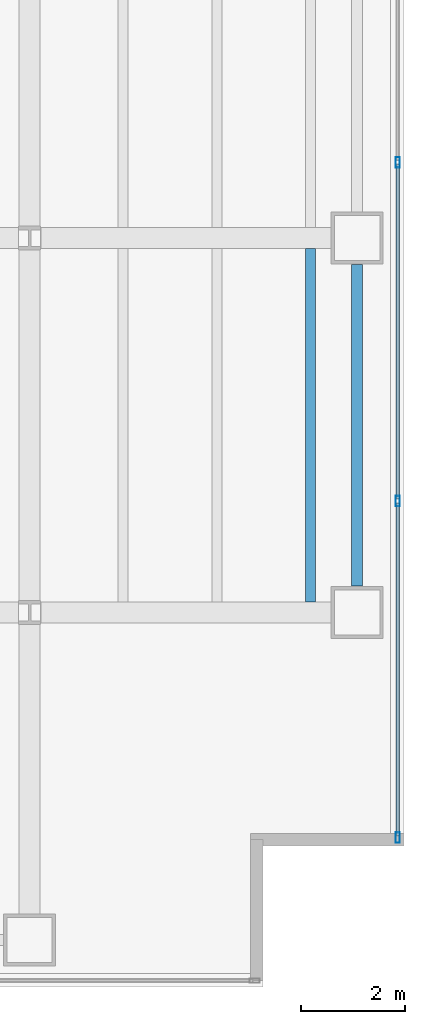
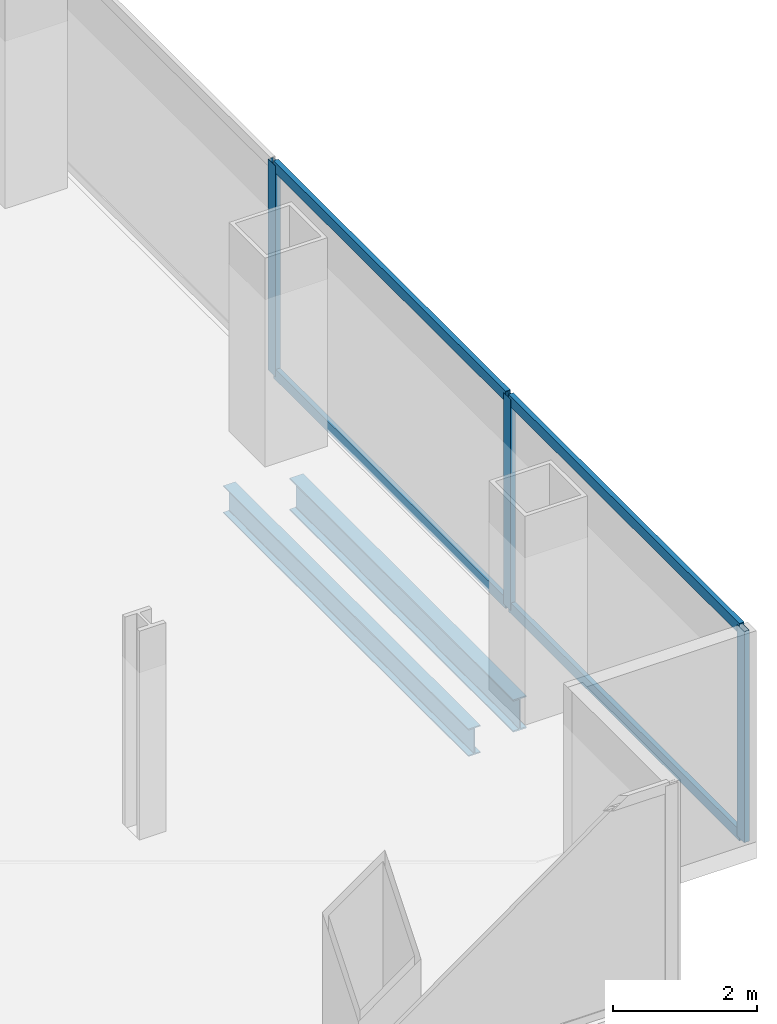
# One storey, part 10 of 25: 7 members, 2 beams, 1 element without a shape of its own.
"""IFC4 building model written with IfcOpenShell, lengths in metres."""

from ifc_helpers import new_model, si_unit, direction, frame, origin, origin_2d, place, context, subcontext, project, spatial, hollow_rectangle, i_section, extrude, material, material_profile, profile_set, type_object, element, aggregate, save


model = new_model("IFC4")

# Units and contexts
model_context = context("Model", 3, precision=1e-05, world=origin(), true_north=direction((0.0, 1.0)))
body_context = subcontext(model_context, "Body", "Model", "MODEL_VIEW")
ifc_project = project(units=[si_unit("LENGTHUNIT", "METRE"), si_unit("AREAUNIT", "SQUARE_METRE"), si_unit("VOLUMEUNIT", "CUBIC_METRE"), si_unit("PLANEANGLEUNIT", "RADIAN"), si_unit("MASSUNIT", "GRAM", prefix="KILO")], contexts=[model_context])

# Site, building, storey
site_placement = place(None, origin())
site = spatial("IfcSite", under=ifc_project, at=site_placement, CompositionType="ELEMENT")
building_placement = place(site_placement, origin())
building = spatial("IfcBuilding", under=site, at=building_placement, Name="Cobrela Telecom Tower", CompositionType="ELEMENT")
storey_placement = place(building_placement, frame((0.0, 0.0, 61.949951171875)))
storey = spatial("IfcBuildingStorey", under=building, at=storey_placement, Name="L15", CompositionType="ELEMENT", Elevation=61.949951171875)

# Beams
ifc_material_1 = material(Name="Steel ASTM A992 Grade 50", Category="steel")
ifc_material_profile_1 = material_profile(ifc_material_1, i_section(OverallWidth=0.193115234375, OverallDepth=0.467041015625, WebThickness=0.011474609375, FlangeThickness=0.01904296875, FilletRadius=0.012939453125, at=origin_2d()), Name="W18X65")
ifc_profile_set_1 = profile_set([ifc_material_profile_1], Name="Steel ASTM A992 Grade 50")
beam_type_1 = type_object("IfcBeamType", Name="BM-JOIST-03", PredefinedType="JOIST", material=ifc_profile_set_1)
beam_1_placement = place(storey_placement, frame((48.60009765625, 7.404541015625, -0.513427734375), z_axis=(0.0, 1.0, 0.0), x_axis=(-1.0, 0.0, 0.0)))
element("IfcBeam", 1, at=beam_1_placement, inside=storey, type_object=beam_type_1, Name="L15 Secondary Composite Floor Beam J63", PredefinedType="JOIST", context=body_context, shape_type="SweptSolid", body=[
    extrude(i_section(OverallWidth=0.193115234375, OverallDepth=0.467041015625, WebThickness=0.011474609375, FlangeThickness=0.01904296875, FilletRadius=0.012939453125, at=origin_2d()), origin(), (0.0, 0.0, 1.0), 6.791015625),
])
ifc_material_profile_2 = material_profile(ifc_material_1, i_section(OverallWidth=0.212890625, OverallDepth=0.549072265625, WebThickness=0.0146484375, FlangeThickness=0.023681640625, FilletRadius=0.013916015625, at=origin_2d()), Name="W21X93")
ifc_profile_set_2 = profile_set([ifc_material_profile_2], Name="Steel ASTM A992 Grade 50")
beam_type_2 = type_object("IfcBeamType", Name="BM-SPAND-03", PredefinedType="SPANDREL", material=ifc_profile_set_2)
beam_2_placement = place(storey_placement, frame((49.5, 7.705078125, -0.554443359375), z_axis=(0.0, 1.0, 0.0), x_axis=(-1.0, 0.0, 0.0)))
element("IfcBeam", 2, at=beam_2_placement, inside=storey, type_object=beam_type_2, Name="L15 Perimeter Spandrel Y56", PredefinedType="SPANDREL", context=body_context, shape_type="SweptSolid", body=[
    extrude(i_section(OverallWidth=0.212890625, OverallDepth=0.549072265625, WebThickness=0.0146484375, FlangeThickness=0.023681640625, FilletRadius=0.013916015625, at=origin_2d()), origin(), (0.0, 0.0, 1.0), 6.18994140625),
])

# Curtain wall, members
ifc_material_2 = material(Name="Anodized Bronze Aluminium 6063-T6", Category="aluminium")
curtain_wall_type = type_object("IfcCurtainWallType", Name="CW-SYS-DATA", PredefinedType="USERDEFINED", material=ifc_material_2)
curtain_wall_placement = place(storey_placement, origin())
curtain_wall = element("IfcCurtainWall", 3, at=curtain_wall_placement, inside=storey, type_object=curtain_wall_type, Name="L15 Unitised Bronze Curtain Wall 14", ObjectType="UNITISED CURTAIN WALL", PredefinedType="USERDEFINED")
ifc_material_profile_3 = material_profile(ifc_material_2, hollow_rectangle(XDim=0.080078125, YDim=0.199951171875, WallThickness=0.00390625, at=origin_2d()), Name="ALU 80x200x4")
ifc_profile_set_3 = profile_set([ifc_material_profile_3], Name="Anodized Bronze Aluminium 6063-T6")
member_type_1 = type_object("IfcMemberType", Name="CW-SYS-DATA-MUL", PredefinedType="MULLION", material=ifc_profile_set_3)
member_1_placement = place(storey_placement, frame((50.280029296875, 15.856689453125, 0.0), z_axis=(0.0, 0.0, 1.0), x_axis=(1.0, 0.0, 0.0)))
member_1 = element("IfcMember", 4, at=member_1_placement, type_object=member_type_1, Name="CW-DATA mullion 2", PredefinedType="MULLION", context=body_context, shape_type="SweptSolid", body=[
    extrude(hollow_rectangle(XDim=0.080078125, YDim=0.199951171875, WallThickness=0.00390625, at=origin_2d()), origin(), (0.0, 0.0, 1.0), 3.570068359375),
])
member_2_placement = place(storey_placement, frame((50.280029296875, 9.34326171875, 0.0), z_axis=(0.0, 0.0, 1.0), x_axis=(1.0, 0.0, 0.0)))
member_2 = element("IfcMember", 5, at=member_2_placement, type_object=member_type_1, Name="CW-DATA mullion 3", PredefinedType="MULLION", context=body_context, shape_type="SweptSolid", body=[
    extrude(hollow_rectangle(XDim=0.080078125, YDim=0.199951171875, WallThickness=0.00390625, at=origin_2d()), origin(), (0.0, 0.0, 1.0), 3.570068359375),
])
member_3_placement = place(storey_placement, frame((50.280029296875, 2.8701171875, 0.0), z_axis=(0.0, 0.0, 1.0), x_axis=(1.0, 0.0, 0.0)))
member_3 = element("IfcMember", 6, at=member_3_placement, type_object=member_type_1, Name="CW-DATA mullion 4", PredefinedType="MULLION", context=body_context, shape_type="SweptSolid", body=[
    extrude(hollow_rectangle(XDim=0.080078125, YDim=0.199951171875, WallThickness=0.00390625, at=origin_2d()), origin(), (0.0, 0.0, 1.0), 3.570068359375),
])
ifc_material_profile_4 = material_profile(ifc_material_2, hollow_rectangle(XDim=0.074951171875, YDim=0.179931640625, WallThickness=0.00390625, at=origin_2d()), Name="ALU 75x180x4")
ifc_profile_set_4 = profile_set([ifc_material_profile_4], Name="Anodized Bronze Aluminium 6063-T6")
member_type_2 = type_object("IfcMemberType", Name="CW-SYS-DATA-TRN", PredefinedType="USERDEFINED", material=ifc_profile_set_4)
member_4_placement = place(storey_placement, frame((50.280029296875, 15.816650390625, 0.03759765625), z_axis=(0.0, -1.0, 0.0), x_axis=(1.0, 0.0, 0.0)))
member_4 = element("IfcMember", 7, at=member_4_placement, type_object=member_type_2, Name="CW-DATA transom 2.1", ObjectType="TRANSOM", PredefinedType="USERDEFINED", context=body_context, shape_type="SweptSolid", body=[
    extrude(hollow_rectangle(XDim=0.074951171875, YDim=0.179931640625, WallThickness=0.00390625, at=origin_2d()), origin(), (0.0, 0.0, 1.0), 6.433349609375),
])
member_5_placement = place(storey_placement, frame((50.280029296875, 15.816650390625, 3.532470703125), z_axis=(0.0, -1.0, 0.0), x_axis=(1.0, 0.0, 0.0)))
member_5 = element("IfcMember", 8, at=member_5_placement, type_object=member_type_2, Name="CW-DATA transom 2.2", ObjectType="TRANSOM", PredefinedType="USERDEFINED", context=body_context, shape_type="SweptSolid", body=[
    extrude(hollow_rectangle(XDim=0.074951171875, YDim=0.179931640625, WallThickness=0.00390625, at=origin_2d()), origin(), (0.0, 0.0, 1.0), 6.433349609375),
])
member_6_placement = place(storey_placement, frame((50.280029296875, 9.30322265625, 0.03759765625), z_axis=(0.0, -1.0, 0.0), x_axis=(1.0, 0.0, 0.0)))
member_6 = element("IfcMember", 9, at=member_6_placement, type_object=member_type_2, Name="CW-DATA transom 3.1", ObjectType="TRANSOM", PredefinedType="USERDEFINED", context=body_context, shape_type="SweptSolid", body=[
    extrude(hollow_rectangle(XDim=0.074951171875, YDim=0.179931640625, WallThickness=0.00390625, at=origin_2d()), origin(), (0.0, 0.0, 1.0), 6.393310546875),
])
member_7_placement = place(storey_placement, frame((50.280029296875, 9.30322265625, 3.532470703125), z_axis=(0.0, -1.0, 0.0), x_axis=(1.0, 0.0, 0.0)))
member_7 = element("IfcMember", 10, at=member_7_placement, type_object=member_type_2, Name="CW-DATA transom 3.2", ObjectType="TRANSOM", PredefinedType="USERDEFINED", context=body_context, shape_type="SweptSolid", body=[
    extrude(hollow_rectangle(XDim=0.074951171875, YDim=0.179931640625, WallThickness=0.00390625, at=origin_2d()), origin(), (0.0, 0.0, 1.0), 6.393310546875),
])
aggregate(curtain_wall, [member_1, member_2, member_3, member_4, member_5, member_6, member_7])

save(model, "model.ifc")
